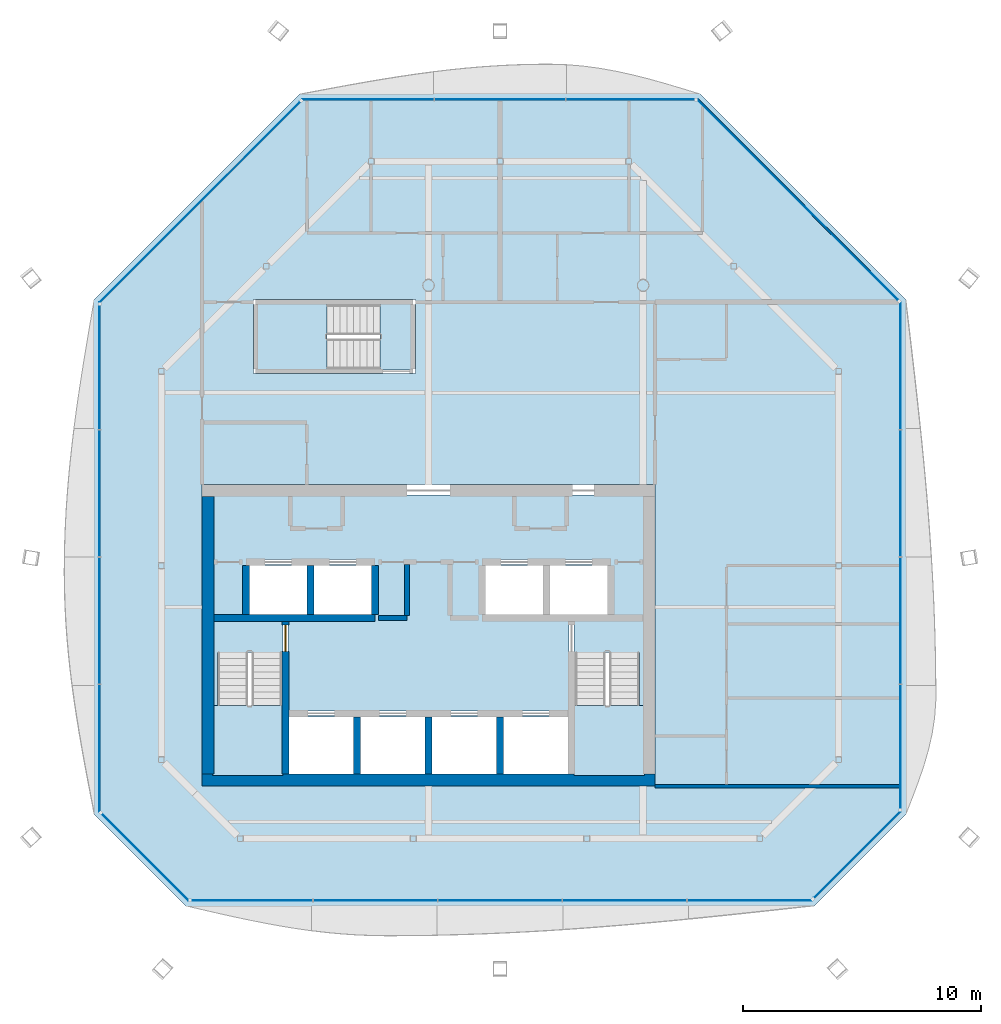
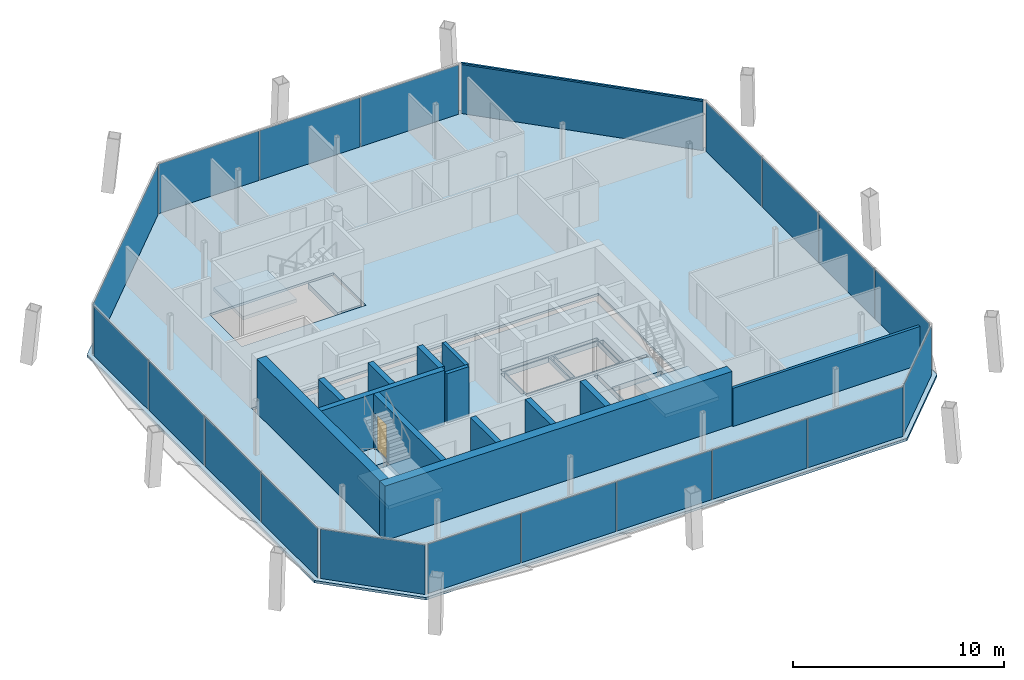
# One storey, part 9 of 16: 20 plates, 13 walls, 6 slabs, 1 door, 1 member, 1 opening, 11 elements without a shape of their own.
"""IFC4 building model written with IfcOpenShell, lengths in metres."""

from ifc_helpers import new_model, si_unit, direction, frame, frame_2d, origin, origin_2d, place, context, subcontext, project, spatial, polyline, rectangle, outline, extrude, material, layer, layer_set, material_profile, profile_set, type_object, element, fill, aggregate, save


model = new_model("IFC4")

# Units and contexts
model_context = context("Model", 3, precision=1e-05, world=origin(), true_north=direction((0.0, 1.0)))
body_context = subcontext(model_context, "Body", "Model", "MODEL_VIEW")
ifc_project = project(units=[si_unit("LENGTHUNIT", "METRE"), si_unit("AREAUNIT", "SQUARE_METRE"), si_unit("VOLUMEUNIT", "CUBIC_METRE"), si_unit("PLANEANGLEUNIT", "RADIAN"), si_unit("MASSUNIT", "GRAM", prefix="KILO")], contexts=[model_context])

# Site, building, storey
site_placement = place(None, origin())
site = spatial("IfcSite", under=ifc_project, at=site_placement, CompositionType="ELEMENT")
building_placement = place(site_placement, origin())
building = spatial("IfcBuilding", under=site, at=building_placement, Name="Tskaro Facet Tower", CompositionType="ELEMENT")
storey_placement = place(building_placement, frame((0.0, 0.0, 262.64990234375)))
storey = spatial("IfcBuildingStorey", under=building, at=storey_placement, Name="L69", CompositionType="ELEMENT", Elevation=262.64990234375)

# Curtain wall, member
ifc_material_1 = material(Name="Bronze anodised aluminium 6063-T6", Category="aluminium")
curtain_wall_type = type_object("IfcCurtainWallType", Name="Bronze residence curtain wall (FW3)", PredefinedType="NOTDEFINED", material=ifc_material_1)
curtain_wall_1_placement = place(storey_placement, origin())
curtain_wall_1 = element("IfcCurtainWall", 1, at=curtain_wall_1_placement, inside=storey, type_object=curtain_wall_type, Name="FW3 north-east facet L69", PredefinedType="NOTDEFINED")
ifc_material_profile = material_profile(ifc_material_1, rectangle(XDim=0.10009765625, YDim=0.090087890625, at=origin_2d()), Name="Transom 100x90")
ifc_profile_set = profile_set([ifc_material_profile], Name="Bronze anodised aluminium 6063-T6")
member_type = type_object("IfcMemberType", Name="FW3 bronze transom 100x90", PredefinedType="USERDEFINED", material=ifc_profile_set)
member_placement = place(storey_placement, frame((19.694091796875, 8.385986328125, 2.905029296875), z_axis=(-0.707106781187, 0.707106781187, 0.0), x_axis=(-0.707106781187, -0.707106781187, 0.0)))
member = element("IfcMember", 2, at=member_placement, type_object=member_type, Name="FW3 north-east transom 1.1", ObjectType="TRANSOM", PredefinedType="USERDEFINED", context=body_context, shape_type="SweptSolid", body=[
    extrude(rectangle(XDim=0.10009765625, YDim=0.090087890625, at=origin_2d()), origin(), (0.0, 0.0, 1.0), 11.88916015625),
])

# Slab
ifc_material_2 = material(Name="Concrete C30/37", Category="concrete")
ifc_layer_1 = layer(ifc_material_2, 0.139892578125, Name="Concrete C30/37")
ifc_layer_set_1 = layer_set([ifc_layer_1], Name="Concrete C30/37")
slab_type_1 = type_object("IfcSlabType", Name="Composite deck floor slab", PredefinedType="FLOOR", material=ifc_layer_set_1)
slab_1_placement = place(storey_placement, frame((0.0, 0.0, -0.139892578125)))
element("IfcSlab", 3, at=slab_1_placement, inside=storey, type_object=slab_type_1, Name="Floor slab FS3 L69", PredefinedType="FLOOR", context=body_context, shape_type="SweptSolid", body=[
    extrude(outline(polyline([(-10.174072265625, -17.04296875), (16.174072265625, -17.04296875), (20.04296875, -13.174072265625), (20.04296875, 8.39111328125), (11.39111328125, 17.04296875), (-5.39111328125, 17.04296875), (-14.04296875, 8.39111328125), (-14.04296875, -13.174072265625), (-10.174072265625, -17.04296875)]), holes=[polyline([(-9.5, -12.0), (9.5, -12.0), (9.5, 0.64990234375), (-9.5, 0.64990234375), (-9.5, -12.0)]), polyline([(-7.35009765625, 5.300048828125), (-0.550048828125, 5.300048828125), (-0.550048828125, 8.39990234375), (-7.35009765625, 8.39990234375), (-7.35009765625, 5.300048828125)])]), origin(), (0.0, 0.0, 1.0), 0.139892578125),
])

# Curtain wall, plates
curtain_wall_2_placement = place(storey_placement, origin())
curtain_wall_2 = element("IfcCurtainWall", 4, at=curtain_wall_2_placement, inside=storey, type_object=curtain_wall_type, Name="FW3 south facet L69", PredefinedType="NOTDEFINED")
ifc_material_3 = material(Name="Bronze low-iron glass", Category="glass")
ifc_layer_2 = layer(ifc_material_3, 0.028076171875, Name="Bronze low-iron glass")
ifc_layer_set_2 = layer_set([ifc_layer_2], Name="Bronze low-iron glass")
plate_type = type_object("IfcPlateType", Name="FW3 bronze-tinted unit glazing 28", PredefinedType="CURTAIN_PANEL", material=ifc_layer_set_2)
plate_1_placement = place(storey_placement, frame((-7.3984375, -16.79296875, 0.0), z_axis=(0.0, 0.0, 1.0), x_axis=(1.0, 0.0, 0.0)))
plate_1 = element("IfcPlate", 5, at=plate_1_placement, type_object=plate_type, Name="FW3 south glazing 1.1", PredefinedType="CURTAIN_PANEL", context=body_context, shape_type="SweptSolid", body=[
    extrude(rectangle(XDim=5.06298828125, YDim=0.028076171875, at=origin_2d()), origin(), (0.0, 0.0, 1.0), 2.860107421875),
])
plate_2_placement = place(storey_placement, frame((-2.22802734375, -16.79296875, 0.0), z_axis=(0.0, 0.0, 1.0), x_axis=(1.0, 0.0, 0.0)))
plate_2 = element("IfcPlate", 6, at=plate_2_placement, type_object=plate_type, Name="FW3 south glazing 2.1", PredefinedType="CURTAIN_PANEL", context=body_context, shape_type="SweptSolid", body=[
    extrude(rectangle(XDim=5.177978515625, YDim=0.028076171875, at=origin_2d()), origin(), (0.0, 0.0, 1.0), 2.860107421875),
])
plate_3_placement = place(storey_placement, frame((3.0, -16.79296875, 0.0), z_axis=(0.0, 0.0, 1.0), x_axis=(1.0, 0.0, 0.0)))
plate_3 = element("IfcPlate", 7, at=plate_3_placement, type_object=plate_type, Name="FW3 south glazing 3.1", PredefinedType="CURTAIN_PANEL", context=body_context, shape_type="SweptSolid", body=[
    extrude(rectangle(XDim=5.177978515625, YDim=0.028076171875, at=origin_2d()), origin(), (0.0, 0.0, 1.0), 2.860107421875),
])
plate_4_placement = place(storey_placement, frame((8.22802734375, -16.79296875, 0.0), z_axis=(0.0, 0.0, 1.0), x_axis=(1.0, 0.0, 0.0)))
plate_4 = element("IfcPlate", 8, at=plate_4_placement, type_object=plate_type, Name="FW3 south glazing 4.1", PredefinedType="CURTAIN_PANEL", context=body_context, shape_type="SweptSolid", body=[
    extrude(rectangle(XDim=5.177978515625, YDim=0.028076171875, at=origin_2d()), origin(), (0.0, 0.0, 1.0), 2.860107421875),
])
plate_5_placement = place(storey_placement, frame((13.468505859375, -16.79296875, 0.0), z_axis=(0.0, 0.0, 1.0), x_axis=(1.0, 0.0, 0.0)))
plate_5 = element("IfcPlate", 9, at=plate_5_placement, type_object=plate_type, Name="FW3 south glazing 5.1", PredefinedType="CURTAIN_PANEL", context=body_context, shape_type="SweptSolid", body=[
    extrude(rectangle(XDim=5.202880859375, YDim=0.028076171875, at=origin_2d()), origin(), (0.0, 0.0, 1.0), 2.860107421875),
])
aggregate(curtain_wall_2, [plate_1, plate_2, plate_3, plate_4, plate_5])

# Curtain wall, plate
curtain_wall_3_placement = place(storey_placement, origin())
curtain_wall_3 = element("IfcCurtainWall", 10, at=curtain_wall_3_placement, inside=storey, type_object=curtain_wall_type, Name="FW3 south-east facet L69", PredefinedType="NOTDEFINED")
plate_6_placement = place(storey_placement, frame((17.98095703125, -14.882080078125, 0.0), z_axis=(0.0, 0.0, 1.0), x_axis=(0.707106781187, 0.707106781187, 0.0)))
plate_6 = element("IfcPlate", 11, at=plate_6_placement, type_object=plate_type, Name="FW3 south-east glazing 1.1", PredefinedType="CURTAIN_PANEL", context=body_context, shape_type="SweptSolid", body=[
    extrude(rectangle(XDim=5.125, YDim=0.028076171875, at=origin_2d()), origin(), (0.0, 0.0, 1.0), 2.860107421875),
])
aggregate(curtain_wall_3, [plate_6])

# Curtain wall, plates
curtain_wall_4_placement = place(storey_placement, origin())
curtain_wall_4 = element("IfcCurtainWall", 12, at=curtain_wall_4_placement, inside=storey, type_object=curtain_wall_type, Name="FW3 east facet L69", PredefinedType="NOTDEFINED")
plate_7_placement = place(storey_placement, frame((19.79296875, -10.3427734375, 0.0), z_axis=(0.0, 0.0, 1.0), x_axis=(0.0, 1.0, 0.0)))
plate_7 = element("IfcPlate", 13, at=plate_7_placement, type_object=plate_type, Name="FW3 east glazing 1.1", PredefinedType="CURTAIN_PANEL", context=body_context, shape_type="SweptSolid", body=[
    extrude(rectangle(XDim=5.17431640625, YDim=0.028076171875, at=origin_2d()), origin(), (0.0, 0.0, 1.0), 2.860107421875),
])
plate_8_placement = place(storey_placement, frame((19.79296875, -5.06103515625, 0.0), z_axis=(0.0, 0.0, 1.0), x_axis=(0.0, 1.0, 0.0)))
plate_8 = element("IfcPlate", 14, at=plate_8_placement, type_object=plate_type, Name="FW3 east glazing 2.1", PredefinedType="CURTAIN_PANEL", context=body_context, shape_type="SweptSolid", body=[
    extrude(rectangle(XDim=5.289306640625, YDim=0.028076171875, at=origin_2d()), origin(), (0.0, 0.0, 1.0), 2.860107421875),
])
plate_9_placement = place(storey_placement, frame((19.79296875, 0.278076171875, 0.0), z_axis=(0.0, 0.0, 1.0), x_axis=(0.0, 1.0, 0.0)))
plate_9 = element("IfcPlate", 15, at=plate_9_placement, type_object=plate_type, Name="FW3 east glazing 3.1", PredefinedType="CURTAIN_PANEL", context=body_context, shape_type="SweptSolid", body=[
    extrude(rectangle(XDim=5.289306640625, YDim=0.028076171875, at=origin_2d()), origin(), (0.0, 0.0, 1.0), 2.860107421875),
])
plate_10_placement = place(storey_placement, frame((19.79296875, 5.6298828125, 0.0), z_axis=(0.0, 0.0, 1.0), x_axis=(0.0, 1.0, 0.0)))
plate_10 = element("IfcPlate", 16, at=plate_10_placement, type_object=plate_type, Name="FW3 east glazing 4.1", PredefinedType="CURTAIN_PANEL", context=body_context, shape_type="SweptSolid", body=[
    extrude(rectangle(XDim=5.314208984375, YDim=0.028076171875, at=origin_2d()), origin(), (0.0, 0.0, 1.0), 2.860107421875),
])
aggregate(curtain_wall_4, [plate_7, plate_8, plate_9, plate_10])

# Plate
plate_11_placement = place(storey_placement, frame((15.490478515625, 12.589599609375, 0.0), z_axis=(0.0, 0.0, 1.0), x_axis=(-0.707106781187, 0.707106781187, 0.0)))
plate_11 = element("IfcPlate", 17, at=plate_11_placement, type_object=plate_type, Name="FW3 north-east glazing 1.1", PredefinedType="CURTAIN_PANEL", context=body_context, shape_type="SweptSolid", body=[
    extrude(rectangle(XDim=11.889404296875, YDim=0.028076171875, at=origin_2d()), origin(), (0.0, 0.0, 1.0), 2.860107421875),
])

aggregate(curtain_wall_1, [member, plate_11])

# Curtain wall, plates
curtain_wall_5_placement = place(storey_placement, origin())
curtain_wall_5 = element("IfcCurtainWall", 18, at=curtain_wall_5_placement, inside=storey, type_object=curtain_wall_type, Name="FW3 north facet L69", PredefinedType="NOTDEFINED")
plate_12_placement = place(storey_placement, frame((8.46728515625, 16.79296875, 0.0), z_axis=(0.0, 0.0, 1.0), x_axis=(-1.0, 0.0, 0.0)))
plate_12 = element("IfcPlate", 19, at=plate_12_placement, type_object=plate_type, Name="FW3 north glazing 1.1", PredefinedType="CURTAIN_PANEL", context=body_context, shape_type="SweptSolid", body=[
    extrude(rectangle(XDim=5.359619140625, YDim=0.028076171875, at=origin_2d()), origin(), (0.0, 0.0, 1.0), 2.860107421875),
])
plate_13_placement = place(storey_placement, frame((3.0, 16.79296875, 0.0), z_axis=(0.0, 0.0, 1.0), x_axis=(-1.0, 0.0, 0.0)))
plate_13 = element("IfcPlate", 20, at=plate_13_placement, type_object=plate_type, Name="FW3 north glazing 2.1", PredefinedType="CURTAIN_PANEL", context=body_context, shape_type="SweptSolid", body=[
    extrude(rectangle(XDim=5.474609375, YDim=0.028076171875, at=origin_2d()), origin(), (0.0, 0.0, 1.0), 2.860107421875),
])
plate_14_placement = place(storey_placement, frame((-2.537109375, 16.79296875, 0.0), z_axis=(0.0, 0.0, 1.0), x_axis=(-1.0, 0.0, 0.0)))
plate_14 = element("IfcPlate", 21, at=plate_14_placement, type_object=plate_type, Name="FW3 north glazing 3.1", PredefinedType="CURTAIN_PANEL", context=body_context, shape_type="SweptSolid", body=[
    extrude(rectangle(XDim=5.499755859375, YDim=0.028076171875, at=origin_2d()), origin(), (0.0, 0.0, 1.0), 2.860107421875),
])
aggregate(curtain_wall_5, [plate_12, plate_13, plate_14])

# Curtain wall, plate
curtain_wall_6_placement = place(storey_placement, origin())
curtain_wall_6 = element("IfcCurtainWall", 22, at=curtain_wall_6_placement, inside=storey, type_object=curtain_wall_type, Name="FW3 north-west facet L69", PredefinedType="NOTDEFINED")
plate_15_placement = place(storey_placement, frame((-9.589599609375, 12.490478515625, 0.0), z_axis=(0.0, 0.0, 1.0), x_axis=(-0.707106781187, -0.707106781187, 0.0)))
plate_15 = element("IfcPlate", 23, at=plate_15_placement, type_object=plate_type, Name="FW3 north-west glazing 1.1", PredefinedType="CURTAIN_PANEL", context=body_context, shape_type="SweptSolid", body=[
    extrude(rectangle(XDim=11.889404296875, YDim=0.028076171875, at=origin_2d()), origin(), (0.0, 0.0, 1.0), 2.860107421875),
])
aggregate(curtain_wall_6, [plate_15])

# Curtain wall, plates
curtain_wall_7_placement = place(storey_placement, origin())
curtain_wall_7 = element("IfcCurtainWall", 24, at=curtain_wall_7_placement, inside=storey, type_object=curtain_wall_type, Name="FW3 west facet L69", PredefinedType="NOTDEFINED")
plate_16_placement = place(storey_placement, frame((-13.79296875, 5.559814453125, 0.0), z_axis=(0.0, 0.0, 1.0), x_axis=(0.0, -1.0, 0.0)))
plate_16 = element("IfcPlate", 25, at=plate_16_placement, type_object=plate_type, Name="FW3 west glazing 1.1", PredefinedType="CURTAIN_PANEL", context=body_context, shape_type="SweptSolid", body=[
    extrude(rectangle(XDim=5.17431640625, YDim=0.028076171875, at=origin_2d()), origin(), (0.0, 0.0, 1.0), 2.860107421875),
])
plate_17_placement = place(storey_placement, frame((-13.79296875, 0.278076171875, 0.0), z_axis=(0.0, 0.0, 1.0), x_axis=(0.0, -1.0, 0.0)))
plate_17 = element("IfcPlate", 26, at=plate_17_placement, type_object=plate_type, Name="FW3 west glazing 2.1", PredefinedType="CURTAIN_PANEL", context=body_context, shape_type="SweptSolid", body=[
    extrude(rectangle(XDim=5.289306640625, YDim=0.028076171875, at=origin_2d()), origin(), (0.0, 0.0, 1.0), 2.860107421875),
])
plate_18_placement = place(storey_placement, frame((-13.79296875, -5.06103515625, 0.0), z_axis=(0.0, 0.0, 1.0), x_axis=(0.0, -1.0, 0.0)))
plate_18 = element("IfcPlate", 27, at=plate_18_placement, type_object=plate_type, Name="FW3 west glazing 3.1", PredefinedType="CURTAIN_PANEL", context=body_context, shape_type="SweptSolid", body=[
    extrude(rectangle(XDim=5.289306640625, YDim=0.028076171875, at=origin_2d()), origin(), (0.0, 0.0, 1.0), 2.860107421875),
])
plate_19_placement = place(storey_placement, frame((-13.79296875, -10.412841796875, 0.0), z_axis=(0.0, 0.0, 1.0), x_axis=(0.0, -1.0, 0.0)))
plate_19 = element("IfcPlate", 28, at=plate_19_placement, type_object=plate_type, Name="FW3 west glazing 4.1", PredefinedType="CURTAIN_PANEL", context=body_context, shape_type="SweptSolid", body=[
    extrude(rectangle(XDim=5.314208984375, YDim=0.028076171875, at=origin_2d()), origin(), (0.0, 0.0, 1.0), 2.860107421875),
])
aggregate(curtain_wall_7, [plate_16, plate_17, plate_18, plate_19])

# Curtain wall, plate
curtain_wall_8_placement = place(storey_placement, origin())
curtain_wall_8 = element("IfcCurtainWall", 29, at=curtain_wall_8_placement, inside=storey, type_object=curtain_wall_type, Name="FW3 south-west facet L69", PredefinedType="NOTDEFINED")
plate_20_placement = place(storey_placement, frame((-11.882080078125, -14.98095703125, 0.0), z_axis=(0.0, 0.0, 1.0), x_axis=(0.707106781187, -0.707106781187, 0.0)))
plate_20 = element("IfcPlate", 30, at=plate_20_placement, type_object=plate_type, Name="FW3 south-west glazing 1.1", PredefinedType="CURTAIN_PANEL", context=body_context, shape_type="SweptSolid", body=[
    extrude(rectangle(XDim=5.125, YDim=0.028076171875, at=origin_2d()), origin(), (0.0, 0.0, 1.0), 2.860107421875),
])
aggregate(curtain_wall_8, [plate_20])

# Stair, slab
ifc_material_4 = material(Name="Concrete C40/50", Category="concrete")
stair_type = type_object("IfcStairType", Name="ST-TWR", PredefinedType="HALF_TURN_STAIR", material=ifc_material_4)
stair_1_placement = place(storey_placement, origin())
stair_1 = element("IfcStair", 31, at=stair_1_placement, inside=storey, type_object=stair_type, Name="L69 Exit stair 1", PredefinedType="HALF_TURN_STAIR")
ifc_layer_3 = layer(ifc_material_4, 0.199951171875, Name="Concrete C40/50")
ifc_layer_set_3 = layer_set([ifc_layer_3], Name="Concrete C40/50")
slab_type_2 = type_object("IfcSlabType", Name="SL-LANDING", PredefinedType="LANDING", material=ifc_layer_set_3)
slab_2_placement = place(storey_placement, frame((0.0, 0.0, 1.375)))
slab_2 = element("IfcSlab", 32, at=slab_2_placement, type_object=slab_type_2, Name="ST-1 landing 1", PredefinedType="LANDING", context=body_context, shape_type="SweptSolid", body=[
    extrude(outline(polyline([(-9.050048828125, -11.550048828125), (-6.10009765625, -11.550048828125), (-6.10009765625, -8.614990234375), (-9.050048828125, -8.614990234375), (-9.050048828125, -11.550048828125)])), origin(), (0.0, 0.0, 1.0), 0.2001953125),
])
aggregate(stair_1, [slab_2])

stair_2_placement = place(storey_placement, origin())
stair_2 = element("IfcStair", 33, at=stair_2_placement, inside=storey, type_object=stair_type, Name="L69 Exit stair 2", PredefinedType="HALF_TURN_STAIR")
slab_3_placement = place(storey_placement, frame((0.0, 0.0, 1.375)))
slab_3 = element("IfcSlab", 34, at=slab_3_placement, type_object=slab_type_2, Name="ST-2 landing 1", PredefinedType="LANDING", context=body_context, shape_type="SweptSolid", body=[
    extrude(outline(polyline([(6.10009765625, -11.550048828125), (9.050048828125, -11.550048828125), (9.050048828125, -8.614990234375), (6.10009765625, -8.614990234375), (6.10009765625, -11.550048828125)])), origin(), (0.0, 0.0, 1.0), 0.2001953125),
])
aggregate(stair_2, [slab_3])

stair_3_placement = place(storey_placement, origin())
stair_3 = element("IfcStair", 35, at=stair_3_placement, inside=storey, type_object=stair_type, Name="L69 Exit stair 3", PredefinedType="HALF_TURN_STAIR")
slab_4_placement = place(storey_placement, frame((0.0, 0.0, 1.375)))
slab_4 = element("IfcSlab", 36, at=slab_4_placement, type_object=slab_type_2, Name="ST-3 landing 1", PredefinedType="LANDING", context=body_context, shape_type="SweptSolid", body=[
    extrude(outline(polyline([(-7.199951171875, 5.449951171875), (-4.264892578125, 5.449951171875), (-4.264892578125, 8.25), (-7.199951171875, 8.25), (-7.199951171875, 5.449951171875)])), origin(), (0.0, 0.0, 1.0), 0.2001953125),
])
aggregate(stair_3, [slab_4])

# Slabs
ifc_material_5 = material(Name="Concrete C60/75", Category="concrete")
ifc_layer_4 = layer(ifc_material_5, 0.300048828125, Name="Concrete C60/75")
ifc_layer_set_4 = layer_set([ifc_layer_4], Name="Concrete C60/75")
slab_type_3 = type_object("IfcSlabType", Name="SLAB-CORE", PredefinedType="FLOOR", material=ifc_layer_set_4)
slab_5_placement = place(storey_placement, frame((0.0, 0.0, -0.2998046875)))
element("IfcSlab", 37, at=slab_5_placement, inside=storey, type_object=slab_type_3, Name="Core floor slab 1", PredefinedType="FLOOR", context=body_context, shape_type="SweptSolid", body=[
    extrude(outline(polyline([(-9.050048828125, 0.199951171875), (9.050048828125, 0.199951171875), (9.050048828125, 0.10009765625), (9.050048828125, -11.449951171875), (9.050048828125, -11.550048828125), (-9.050048828125, -11.550048828125), (-9.050048828125, -11.449951171875), (-9.050048828125, 0.10009765625), (-9.050048828125, 0.199951171875)]), holes=[polyline([(-5.85009765625, -9.10009765625), (-5.85009765625, -11.5), (-3.14990234375, -11.5), (-3.14990234375, -9.10009765625), (-5.85009765625, -9.10009765625)]), polyline([(-3.10009765625, -11.449951171875), (-2.89990234375, -11.449951171875), (-2.89990234375, -9.14990234375), (-3.10009765625, -9.14990234375), (-3.10009765625, -11.449951171875)]), polyline([(-2.85009765625, -9.10009765625), (-2.85009765625, -11.5), (-0.14990234375, -11.5), (-0.14990234375, -9.10009765625), (-2.85009765625, -9.10009765625)]), polyline([(-6.10009765625, -11.449951171875), (-5.89990234375, -11.449951171875), (-5.89990234375, -5.14990234375), (-6.10009765625, -5.14990234375), (-6.10009765625, -11.449951171875)]), polyline([(-8.949951171875, -5.050048828125), (-2.300048828125, -5.050048828125), (-2.300048828125, -4.85009765625), (-8.949951171875, -4.85009765625), (-8.949951171875, -5.050048828125)]), polyline([(-7.75, -4.75), (-7.550048828125, -4.75), (-7.550048828125, -2.800048828125), (-7.75, -2.800048828125), (-7.75, -4.75)]), polyline([(-5.10009765625, -2.75), (-7.5, -2.75), (-7.5, -4.800048828125), (-5.10009765625, -4.800048828125), (-5.10009765625, -2.75)]), polyline([(-5.050048828125, -4.75), (-4.85009765625, -4.75), (-4.85009765625, -2.800048828125), (-5.050048828125, -2.800048828125), (-5.050048828125, -4.75)]), polyline([(-2.39990234375, -2.75), (-4.800048828125, -2.75), (-4.800048828125, -4.800048828125), (-2.39990234375, -4.800048828125), (-2.39990234375, -2.75)]), polyline([(-2.35009765625, -4.75), (-2.14990234375, -4.75), (-2.14990234375, -2.800048828125), (-2.35009765625, -2.800048828125), (-2.35009765625, -4.75)]), polyline([(-7.60009765625, -2.699951171875), (-2.300048828125, -2.699951171875), (-2.300048828125, -2.5), (-7.60009765625, -2.5), (-7.60009765625, -2.699951171875)]), polyline([(-0.10009765625, -11.449951171875), (0.10009765625, -11.449951171875), (0.10009765625, -9.14990234375), (-0.10009765625, -9.14990234375), (-0.10009765625, -11.449951171875)]), polyline([(0.14990234375, -9.10009765625), (0.14990234375, -11.5), (2.85009765625, -11.5), (2.85009765625, -9.10009765625), (0.14990234375, -9.10009765625)]), polyline([(2.89990234375, -11.449951171875), (3.10009765625, -11.449951171875), (3.10009765625, -9.14990234375), (2.89990234375, -9.14990234375), (2.89990234375, -11.449951171875)]), polyline([(3.14990234375, -9.10009765625), (3.14990234375, -11.5), (5.85009765625, -11.5), (5.85009765625, -9.10009765625), (3.14990234375, -9.10009765625)]), polyline([(-5.800048828125, -9.050048828125), (5.800048828125, -9.050048828125), (5.800048828125, -8.85009765625), (-5.800048828125, -8.85009765625), (-5.800048828125, -9.050048828125)]), polyline([(5.89990234375, -11.449951171875), (6.10009765625, -11.449951171875), (6.10009765625, -5.14990234375), (5.89990234375, -5.14990234375), (5.89990234375, -11.449951171875)]), polyline([(2.300048828125, -5.050048828125), (8.949951171875, -5.050048828125), (8.949951171875, -4.85009765625), (2.300048828125, -4.85009765625), (2.300048828125, -5.050048828125)]), polyline([(2.14990234375, -4.75), (2.35009765625, -4.75), (2.35009765625, -2.800048828125), (2.14990234375, -2.800048828125), (2.14990234375, -4.75)]), polyline([(4.800048828125, -2.75), (2.39990234375, -2.75), (2.39990234375, -4.800048828125), (4.800048828125, -4.800048828125), (4.800048828125, -2.75)]), polyline([(4.85009765625, -4.75), (5.050048828125, -4.75), (5.050048828125, -2.800048828125), (4.85009765625, -2.800048828125), (4.85009765625, -4.75)]), polyline([(7.5, -2.75), (5.10009765625, -2.75), (5.10009765625, -4.800048828125), (7.5, -4.800048828125), (7.5, -2.75)]), polyline([(7.550048828125, -4.75), (7.75, -4.75), (7.75, -2.800048828125), (7.550048828125, -2.800048828125), (7.550048828125, -4.75)]), polyline([(2.300048828125, -2.699951171875), (7.60009765625, -2.699951171875), (7.60009765625, -2.5), (2.300048828125, -2.5), (2.300048828125, -2.699951171875)]), polyline([(-8.85009765625, -11.5), (-6.14990234375, -11.5), (-6.14990234375, -6.39501953125), (-8.85009765625, -6.39501953125), (-8.85009765625, -11.5)]), polyline([(6.14990234375, -6.39501953125), (6.14990234375, -11.5), (8.85009765625, -11.5), (8.85009765625, -6.39501953125), (6.14990234375, -6.39501953125)])]), origin(), (0.0, 0.0, 1.0), 0.2998046875),
])
slab_6_placement = place(storey_placement, frame((0.0, 0.0, -0.2998046875)))
element("IfcSlab", 38, at=slab_6_placement, inside=storey, type_object=slab_type_3, Name="Stair 3 floor landing 1", PredefinedType="FLOOR", context=body_context, shape_type="SweptSolid", body=[
    extrude(outline(polyline([(-2.02490234375, 5.449951171875), (-0.699951171875, 5.449951171875), (-0.699951171875, 8.25), (-2.02490234375, 8.25), (-2.02490234375, 5.449951171875)])), origin(), (0.0, 0.0, 1.0), 0.2998046875),
])

# Walls
ifc_layer_5 = layer(ifc_material_5, 0.300048828125, Name="Concrete C60/75")
ifc_layer_set_5 = layer_set([ifc_layer_5], Name="Concrete C60/75")
wall_type_1 = type_object("IfcWallType", Name="CORE-SHAFT", PredefinedType="SHEAR", material=ifc_layer_set_5)
wall_1_placement = place(storey_placement, frame((-9.0, -4.949951171875, 0.0), z_axis=(0.0, 0.0, 1.0), x_axis=(1.0, 0.0, 0.0)))
element("IfcWall", 39, at=wall_1_placement, inside=storey, type_object=wall_type_1, Name="Shaft wall W006", PredefinedType="SHEAR", context=body_context, shape_type="SweptSolid", body=[
    extrude(rectangle(XDim=6.75, YDim=0.300048828125, at=frame_2d((3.375, 0.0))), origin(), (0.0, 0.0, 1.0), 3.150146484375),
])
wall_2_placement = place(storey_placement, frame((-7.64990234375, -4.800048828125, 0.0), z_axis=(0.0, 0.0, 1.0), x_axis=(0.0, 1.0, 0.0)))
element("IfcWall", 40, at=wall_2_placement, inside=storey, type_object=wall_type_1, Name="Shaft wall W028", PredefinedType="SHEAR", context=body_context, shape_type="SweptSolid", body=[
    extrude(rectangle(XDim=2.050048828125, YDim=0.300048828125, at=frame_2d((1.02490234375, 0.0))), origin(), (0.0, 0.0, 1.0), 3.150146484375),
])

# Wall, opening, door
wall_3_placement = place(storey_placement, frame((-6.0, -11.5, 0.0), z_axis=(0.0, 0.0, 1.0), x_axis=(0.0, 1.0, 0.0)))
wall_3 = element("IfcWall", 41, at=wall_3_placement, inside=storey, type_object=wall_type_1, Name="Shaft wall W030", PredefinedType="SHEAR", context=body_context, shape_type="SweptSolid", body=[
    extrude(rectangle(XDim=6.39990234375, YDim=0.300048828125, at=frame_2d((3.199951171875, 0.0))), origin(), (0.0, 0.0, 1.0), 3.150146484375),
])
opening_placement = place(wall_3_placement, frame((5.14990234375, 0.0, 0.0)))
opening = element("IfcOpeningElement", 42, at=opening_placement, cuts=wall_3, Name="Opening ST-1-D1", PredefinedType="OPENING", context=body_context, shape_type="SweptSolid", body=[
    extrude(rectangle(XDim=1.10009765625, YDim=2.10009765625, at=frame_2d((0.550048828125, 1.050048828125))), frame((0.0, 0.159912109375, 0.0), z_axis=(0.0, -1.0, 0.0), x_axis=(1.0, 0.0, 0.0)), (0.0, 0.0, 1.0), 0.320068359375),
])
ifc_material_6 = material(Name="Steel", Category="steel")
door_type = type_object("IfcDoorType", Name="D-STAIR", OperationType="NOTDEFINED", PredefinedType="DOOR", material=ifc_material_6)
door_placement = place(opening_placement, origin())
door = element("IfcDoor", 43, at=door_placement, inside=storey, type_object=door_type, Name="Stair door 1", OperationType="SINGLE_SWING_LEFT", OverallHeight=2.10009765625, OverallWidth=1.10009765625, PredefinedType="DOOR", context=body_context, shape_type="SweptSolid", body=[
    extrude(rectangle(XDim=1.10009765625, YDim=2.10009765625, at=frame_2d((0.550048828125, 1.050048828125))), frame((0.0, 0.02490234375, 0.0), z_axis=(0.0, -1.0, 0.0), x_axis=(1.0, 0.0, 0.0)), (0.0, 0.0, 1.0), 0.050048828125),
])
fill(opening, door)

# Walls
wall_4_placement = place(storey_placement, frame((-4.949951171875, -4.800048828125, 0.0), z_axis=(0.0, 0.0, 1.0), x_axis=(0.0, 1.0, 0.0)))
element("IfcWall", 44, at=wall_4_placement, inside=storey, type_object=wall_type_1, Name="Shaft wall W034", PredefinedType="SHEAR", context=body_context, shape_type="SweptSolid", body=[
    extrude(rectangle(XDim=2.050048828125, YDim=0.300048828125, at=frame_2d((1.02490234375, 0.0))), origin(), (0.0, 0.0, 1.0), 3.150146484375),
])
wall_5_placement = place(storey_placement, frame((-3.0, -11.5, 0.0), z_axis=(0.0, 0.0, 1.0), x_axis=(0.0, 1.0, 0.0)))
element("IfcWall", 45, at=wall_5_placement, inside=storey, type_object=wall_type_1, Name="Shaft wall W036", PredefinedType="SHEAR", context=body_context, shape_type="SweptSolid", body=[
    extrude(rectangle(XDim=2.39990234375, YDim=0.300048828125, at=frame_2d((1.199951171875, 0.0))), origin(), (0.0, 0.0, 1.0), 3.150146484375),
])
wall_6_placement = place(storey_placement, frame((-2.25, -4.800048828125, 0.0), z_axis=(0.0, 0.0, 1.0), x_axis=(0.0, 1.0, 0.0)))
element("IfcWall", 46, at=wall_6_placement, inside=storey, type_object=wall_type_1, Name="Shaft wall W039", PredefinedType="SHEAR", context=body_context, shape_type="SweptSolid", body=[
    extrude(rectangle(XDim=2.050048828125, YDim=0.300048828125, at=frame_2d((1.02490234375, 0.0))), origin(), (0.0, 0.0, 1.0), 3.150146484375),
])
for number, where, z_axis, x_axis, name in (
    (47, (0.0, -11.5, 0.0), (0.0, 0.0, 1.0), (0.0, 1.0, 0.0), "Shaft wall W042"),
    (48, (3.0, -11.5, 0.0), (0.0, 0.0, 1.0), (0.0, 1.0, 0.0), "Shaft wall W046"),
):
    element("IfcWall", number, at=place(storey_placement, frame(where, z_axis=z_axis, x_axis=x_axis)), inside=storey, type_object=wall_type_1, Name=name, PredefinedType="SHEAR", context=body_context, shape_type="SweptSolid", body=[
        extrude(rectangle(XDim=2.39990234375, YDim=0.300048828125, at=frame_2d((1.199951171875, 0.0))), origin(), (0.0, 0.0, 1.0), 3.150146484375),
    ])
ifc_material_7 = material(Name="Concrete C20/25", Category="concrete")
ifc_layer_6 = layer(ifc_material_7, 0.199951171875, Name="Concrete C20/25")
ifc_layer_set_6 = layer_set([ifc_layer_6], Name="Concrete C20/25")
wall_type_2 = type_object("IfcWallType", Name="CORE-WALL", PredefinedType="SOLIDWALL", material=ifc_layer_set_6)
wall_7_placement = place(storey_placement, frame((-2.10009765625, -4.949951171875, 0.0), z_axis=(0.0, 0.0, 1.0), x_axis=(1.0, 0.0, 0.0)))
element("IfcWall", 49, at=wall_7_placement, inside=storey, type_object=wall_type_2, Name="Core room wall W007", PredefinedType="SOLIDWALL", context=body_context, shape_type="SweptSolid", body=[
    extrude(rectangle(XDim=1.2001953125, YDim=0.199951171875, at=frame_2d((0.60009765625, 0.0))), origin(), (0.0, 0.0, 1.0), 2.85009765625),
])
wall_8_placement = place(storey_placement, frame((-0.89990234375, -4.85009765625, 0.0), z_axis=(0.0, 0.0, 1.0), x_axis=(0.0, 1.0, 0.0)))
element("IfcWall", 50, at=wall_8_placement, inside=storey, type_object=wall_type_2, Name="Core room wall W040", PredefinedType="SOLIDWALL", context=body_context, shape_type="SweptSolid", body=[
    extrude(rectangle(XDim=2.150146484375, YDim=0.199951171875, at=frame_2d((1.0751953125, 0.0))), origin(), (0.0, 0.0, 1.0), 2.85009765625),
])
ifc_layer_7 = layer(ifc_material_4, 0.5, Name="Concrete C40/50")
ifc_layer_set_7 = layer_set([ifc_layer_7], Name="Concrete C40/50")
wall_type_3 = type_object("IfcWallType", Name="Core wall 500", PredefinedType="SHEAR", material=ifc_layer_set_7)
wall_9_placement = place(storey_placement, frame((-9.5, -11.75, 0.0), z_axis=(0.0, 0.0, 1.0), x_axis=(1.0, 0.0, 0.0)))
element("IfcWall", 51, at=wall_9_placement, inside=storey, type_object=wall_type_3, Name="Core wall CW-Z3S", PredefinedType="SHEAR", context=body_context, shape_type="SweptSolid", body=[
    extrude(rectangle(XDim=19.0, YDim=0.5, at=frame_2d((9.5, 0.0))), origin(), (0.0, 0.0, 1.0), 3.150146484375),
])
wall_10_placement = place(storey_placement, frame((-9.25, -11.5, 0.0), z_axis=(0.0, 0.0, 1.0), x_axis=(0.0, 1.0, 0.0)))
element("IfcWall", 52, at=wall_10_placement, inside=storey, type_object=wall_type_3, Name="Core wall CW-Z3W", PredefinedType="SHEAR", context=body_context, shape_type="SweptSolid", body=[
    extrude(rectangle(XDim=11.64990234375, YDim=0.5, at=frame_2d((5.824951171875, 0.0))), origin(), (0.0, 0.0, 1.0), 3.150146484375),
])
ifc_material_8 = material(Name="Gypsum board on steel studs", Category="steel")
ifc_layer_8 = layer(ifc_material_8, 0.14990234375, Name="Gypsum board on steel studs")
ifc_layer_set_8 = layer_set([ifc_layer_8], Name="Gypsum board on steel studs")
wall_type_4 = type_object("IfcWallType", Name="PART-CORR", PredefinedType="PARTITIONING", material=ifc_layer_set_8)
wall_11_placement = place(storey_placement, frame((9.5, -12.0, 0.0), z_axis=(0.0, 0.0, 1.0), x_axis=(1.0, 0.0, 0.0)))
element("IfcWall", 53, at=wall_11_placement, inside=storey, type_object=wall_type_4, Name="Corridor wall W001", PredefinedType="PARTITIONING", context=body_context, shape_type="SweptSolid", body=[
    extrude(rectangle(XDim=10.242919921875, YDim=0.14990234375, at=frame_2d((5.12158203125, 0.0))), origin(), (0.0, 0.0, 1.0), 2.210205078125),
])

save(model, "model.ifc")
